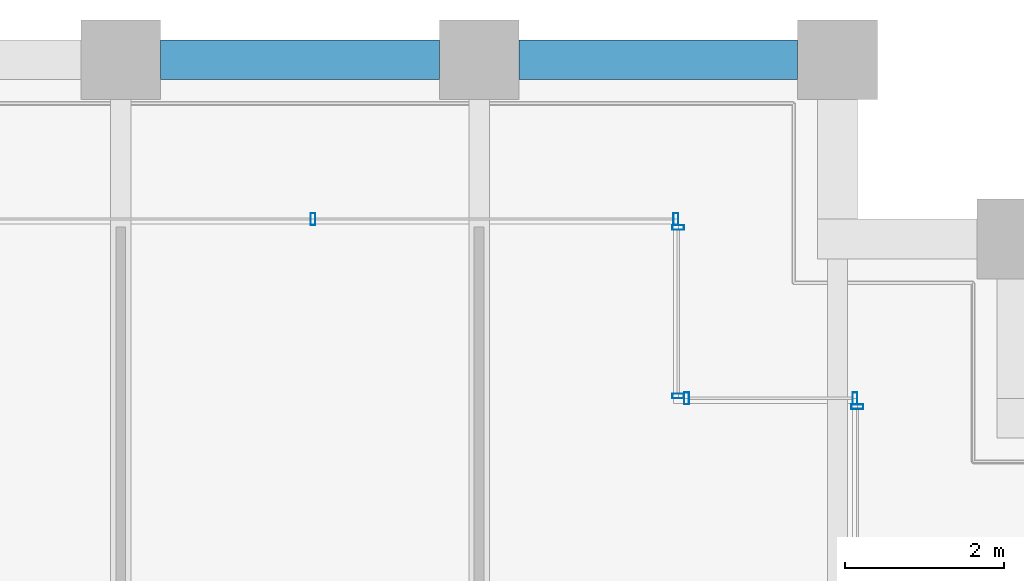
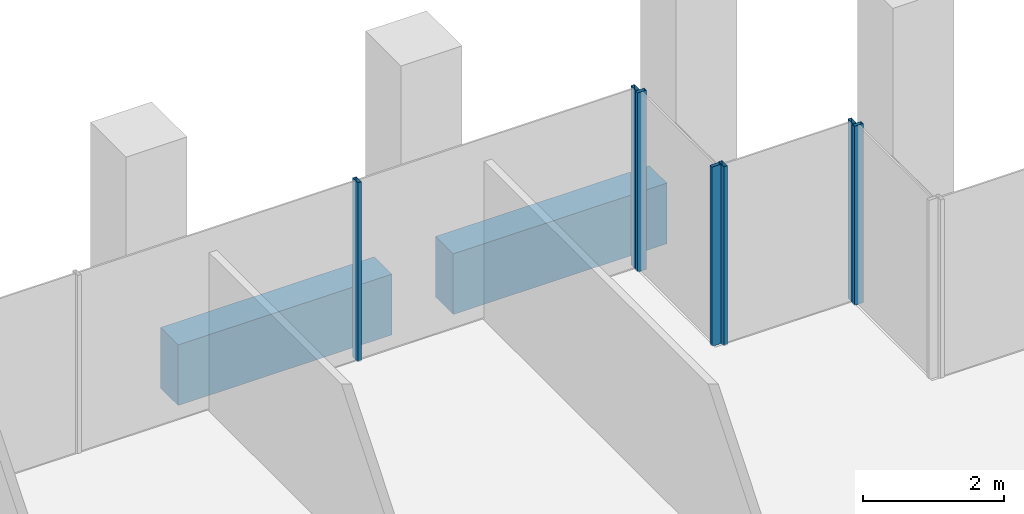
# One storey, part 26 of 46: 7 members, 2 beams, 4 elements without a shape of their own.
"""IFC4 building model written with IfcOpenShell, lengths in metres."""

from ifc_helpers import new_model, si_unit, direction, frame, origin, origin_2d, place, context, subcontext, project, spatial, rectangle, hollow_rectangle, extrude, material, material_profile, profile_set, type_object, element, aggregate, save


model = new_model("IFC4")

# Units and contexts
model_context = context("Model", 3, precision=1e-05, world=origin(), true_north=direction((0.0, 1.0)))
body_context = subcontext(model_context, "Body", "Model", "MODEL_VIEW")
ifc_project = project(units=[si_unit("LENGTHUNIT", "METRE"), si_unit("AREAUNIT", "SQUARE_METRE"), si_unit("VOLUMEUNIT", "CUBIC_METRE"), si_unit("PLANEANGLEUNIT", "RADIAN"), si_unit("MASSUNIT", "GRAM", prefix="KILO")], contexts=[model_context])

# Site, building, storey
site_placement = place(None, origin())
site = spatial("IfcSite", under=ifc_project, at=site_placement, CompositionType="ELEMENT")
building_placement = place(site_placement, origin())
building = spatial("IfcBuilding", under=site, at=building_placement, Name="Altepetl Exchange Towers", CompositionType="ELEMENT")
storey_placement = place(building_placement, frame((0.0, 0.0, 128.0)))
storey = spatial("IfcBuildingStorey", under=building, at=storey_placement, Name="L31", CompositionType="ELEMENT", Elevation=128.0)

# Curtain wall, member
ifc_material_1 = material(Name="Aluminium 6063-T6 glazing", Category="aluminium")
curtain_wall_type = type_object("IfcCurtainWallType", Name="Loggia glazing system", PredefinedType="NOTDEFINED", material=ifc_material_1)
curtain_wall_1_placement = place(storey_placement, origin())
curtain_wall_1 = element("IfcCurtainWall", 1, at=curtain_wall_1_placement, inside=storey, type_object=curtain_wall_type, Name="CW1 run", PredefinedType="NOTDEFINED")
ifc_material_2 = material(Name="Aluminium 6063-T6", Category="aluminium")
ifc_material_profile_1 = material_profile(ifc_material_2, hollow_rectangle(XDim=0.06005859375, YDim=0.14990234375, WallThickness=0.0029296875, at=origin_2d()), Name="Mullion 60x150 aluminium")
ifc_profile_set_1 = profile_set([ifc_material_profile_1], Name="Aluminium 6063-T6")
member_type = type_object("IfcMemberType", Name="Mullion 60x150 aluminium", PredefinedType="MULLION", material=ifc_profile_set_1)
member_1_placement = place(storey_placement, frame((67.75, 67.64501953125, 0.0), z_axis=(0.0, 0.0, 1.0), x_axis=(0.0, 1.0, 0.0)))
member_1 = element("IfcMember", 2, at=member_1_placement, type_object=member_type, Name="MU1 mullion", PredefinedType="MULLION", context=body_context, shape_type="SweptSolid", body=[
    extrude(hollow_rectangle(XDim=0.06005859375, YDim=0.14990234375, WallThickness=0.0029296875, at=origin_2d()), origin(), (0.0, 0.0, 1.0), 3.10009765625),
])
aggregate(curtain_wall_1, [member_1])

# Curtain wall, members
curtain_wall_2_placement = place(storey_placement, origin())
curtain_wall_2 = element("IfcCurtainWall", 3, at=curtain_wall_2_placement, inside=storey, type_object=curtain_wall_type, Name="CW1 run", PredefinedType="NOTDEFINED")
member_2_placement = place(storey_placement, frame((67.719970703125, 67.75, 0.0), z_axis=(0.0, 0.0, 1.0), x_axis=(-1.0, 0.0, 0.0)))
member_2 = element("IfcMember", 4, at=member_2_placement, type_object=member_type, Name="MU1 mullion", PredefinedType="MULLION", context=body_context, shape_type="SweptSolid", body=[
    extrude(hollow_rectangle(XDim=0.06005859375, YDim=0.14990234375, WallThickness=0.0029296875, at=origin_2d()), origin(), (0.0, 0.0, 1.0), 3.10009765625),
])
member_3_placement = place(storey_placement, frame((65.60498046875, 67.75, 0.0), z_axis=(0.0, 0.0, 1.0), x_axis=(-1.0, 0.0, 0.0)))
member_3 = element("IfcMember", 5, at=member_3_placement, type_object=member_type, Name="MU1 mullion", PredefinedType="MULLION", context=body_context, shape_type="SweptSolid", body=[
    extrude(hollow_rectangle(XDim=0.06005859375, YDim=0.14990234375, WallThickness=0.0029296875, at=origin_2d()), origin(), (0.0, 0.0, 1.0), 3.10009765625),
])
aggregate(curtain_wall_2, [member_2, member_3])

curtain_wall_3_placement = place(storey_placement, origin())
curtain_wall_3 = element("IfcCurtainWall", 6, at=curtain_wall_3_placement, inside=storey, type_object=curtain_wall_type, Name="CW1 run", PredefinedType="NOTDEFINED")
member_4_placement = place(storey_placement, frame((65.5, 67.780029296875, 0.0), z_axis=(0.0, 0.0, 1.0), x_axis=(0.0, 1.0, 0.0)))
member_4 = element("IfcMember", 7, at=member_4_placement, type_object=member_type, Name="MU1 mullion", PredefinedType="MULLION", context=body_context, shape_type="SweptSolid", body=[
    extrude(hollow_rectangle(XDim=0.06005859375, YDim=0.14990234375, WallThickness=0.0029296875, at=origin_2d()), origin(), (0.0, 0.0, 1.0), 3.10009765625),
])
member_5_placement = place(storey_placement, frame((65.5, 69.89501953125, 0.0), z_axis=(0.0, 0.0, 1.0), x_axis=(0.0, 1.0, 0.0)))
member_5 = element("IfcMember", 8, at=member_5_placement, type_object=member_type, Name="MU1 mullion", PredefinedType="MULLION", context=body_context, shape_type="SweptSolid", body=[
    extrude(hollow_rectangle(XDim=0.06005859375, YDim=0.14990234375, WallThickness=0.0029296875, at=origin_2d()), origin(), (0.0, 0.0, 1.0), 3.10009765625),
])
aggregate(curtain_wall_3, [member_4, member_5])

curtain_wall_4_placement = place(storey_placement, origin())
curtain_wall_4 = element("IfcCurtainWall", 9, at=curtain_wall_4_placement, inside=storey, type_object=curtain_wall_type, Name="CW1 run", PredefinedType="NOTDEFINED")
member_6_placement = place(storey_placement, frame((65.469970703125, 70.0, 0.0), z_axis=(0.0, 0.0, 1.0), x_axis=(-1.0, 0.0, 0.0)))
member_6 = element("IfcMember", 10, at=member_6_placement, type_object=member_type, Name="MU1 mullion", PredefinedType="MULLION", context=body_context, shape_type="SweptSolid", body=[
    extrude(hollow_rectangle(XDim=0.06005859375, YDim=0.14990234375, WallThickness=0.0029296875, at=origin_2d()), origin(), (0.0, 0.0, 1.0), 3.10009765625),
])
member_7_placement = place(storey_placement, frame((60.9150390625, 70.0, 0.0), z_axis=(0.0, 0.0, 1.0), x_axis=(-1.0, 0.0, 0.0)))
member_7 = element("IfcMember", 11, at=member_7_placement, type_object=member_type, Name="MU1 mullion", PredefinedType="MULLION", context=body_context, shape_type="SweptSolid", body=[
    extrude(hollow_rectangle(XDim=0.06005859375, YDim=0.14990234375, WallThickness=0.0029296875, at=origin_2d()), origin(), (0.0, 0.0, 1.0), 3.10009765625),
])
aggregate(curtain_wall_4, [member_6, member_7])

# Beams
ifc_material_3 = material(Name="Concrete C50/60 precast with cantera rosa facing", Category="concrete")
ifc_material_profile_2 = material_profile(ifc_material_3, rectangle(XDim=0.5, YDim=1.050048828125, at=origin_2d()), Name="500 x 1050")
ifc_profile_set_2 = profile_set([ifc_material_profile_2], Name="Concrete C50/60 precast with cantera rosa facing")
beam_type = type_object("IfcBeamType", Name="Spandrel beam 500x1050 cantera rosa", PredefinedType="SPANDREL", material=ifc_profile_set_2)
for number, where, z_axis, x_axis, name in (
    (12, (67.0, 72.0, -0.675048828125), (-1.0, 0.0, 0.0), (0.0, -1.0, 0.0), "sp:A:L31:024"),
    (13, (62.5, 72.0, -0.675048828125), (-1.0, 0.0, 0.0), (0.0, -1.0, 0.0), "sp:A:L31:025"),
):
    element("IfcBeam", number, at=place(storey_placement, frame(where, z_axis=z_axis, x_axis=x_axis)), inside=storey, type_object=beam_type, Name=name, PredefinedType="SPANDREL", context=body_context, shape_type="SweptSolid", body=[
        extrude(rectangle(XDim=0.5, YDim=1.050048828125, at=origin_2d()), origin(), (0.0, 0.0, 1.0), 3.5),
    ])

save(model, "model.ifc")
